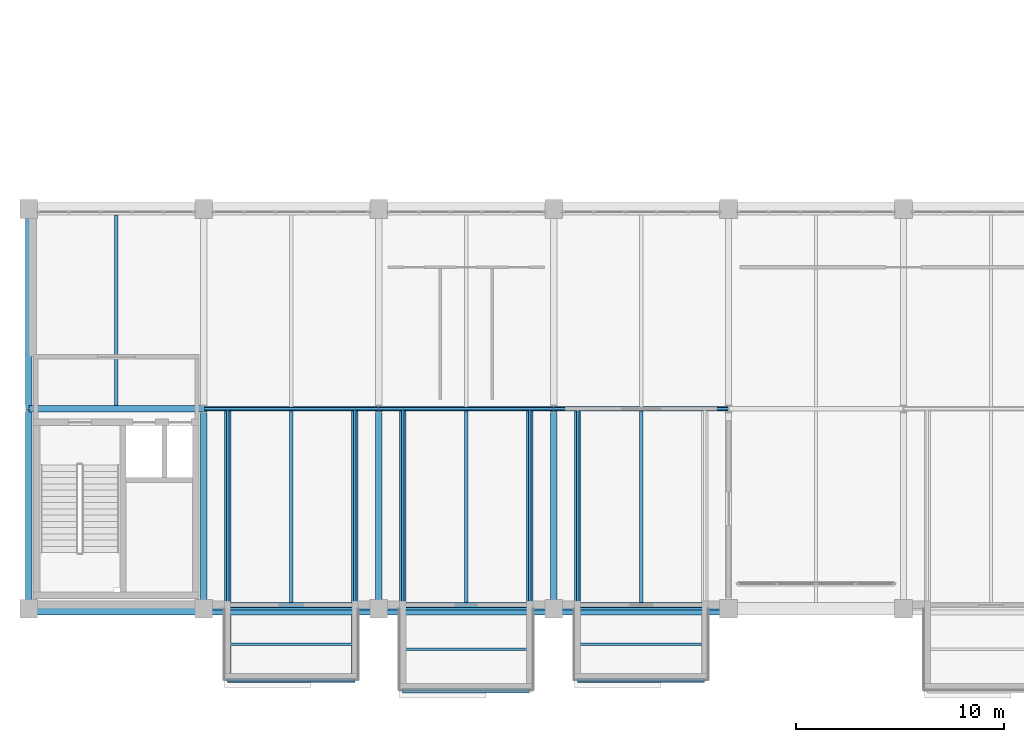
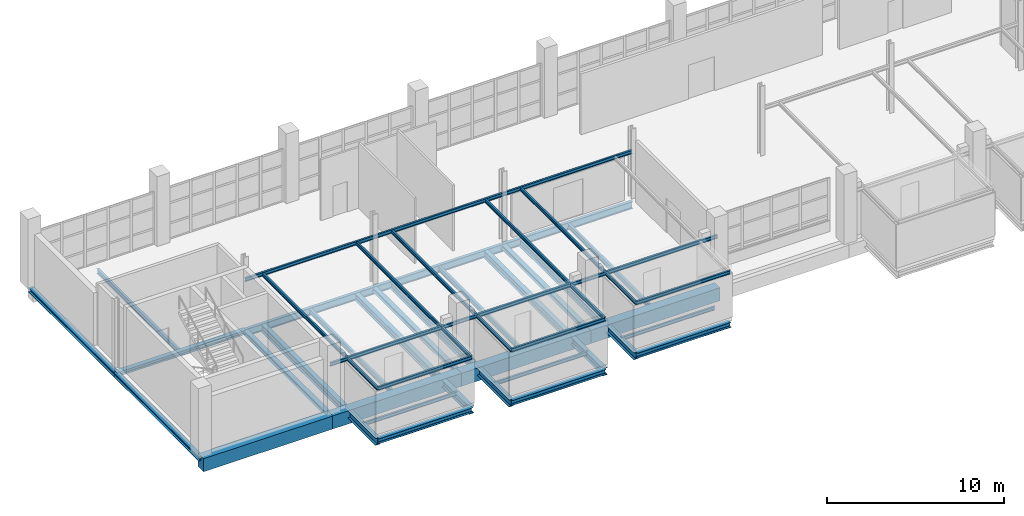
# One storey, part 4 of 29: 42 beams.
"""IFC4 building model written with IfcOpenShell, lengths in metres."""

import ifcopenshell
import ifcopenshell.guid

model = None  # the IFC model being written
_history = None  # IfcOwnerHistory: only IFC2X3 demands one
_inside = {}  # id of a spatial element -> (the spatial element, [elements in it])
_under = {}  # id of a project, library or spatial element -> (it, [spatial elements below it])
_declared = {}  # id of a project -> (the project, [libraries it declares])
_typed = {}  # id of a type object -> (the type object, [elements of that type])
_made_of = {}  # id of a material, layer set ... -> (it, [elements and type objects made of it])


def new_model(schema):
    """Start an empty IFC model of exactly this schema.

    Asked for "IFC4X3", IfcOpenShell would pick the latest addendum, in which some entities
    have other attributes; the version numbers below select the first issue.
    IFC2X3 requires an IfcOwnerHistory on every rooted entity: one is made here for all.
    """
    global model, _history
    if schema == "IFC4X3":
        model = ifcopenshell.file(schema_version=(4, 3, 0, 0))
    else:
        model = ifcopenshell.file(schema=schema)
    _inside.clear()
    _under.clear()
    _declared.clear()
    _typed.clear()
    _made_of.clear()
    _history = None
    if model.schema == "IFC2X3":
        org = make("IfcOrganization", Name="unknown")
        user = make(
            "IfcPersonAndOrganization",
            ThePerson=make("IfcPerson", FamilyName="unknown"),
            TheOrganization=org,
        )
        app = make(
            "IfcApplication",
            ApplicationDeveloper=org,
            Version="unknown",
            ApplicationFullName="unknown",
            ApplicationIdentifier="unknown",
        )
        _history = make(
            "IfcOwnerHistory",
            OwningUser=user,
            OwningApplication=app,
            ChangeAction="ADDED",
            CreationDate=0,
        )
    return model


def make(cls, **values):
    """One entity of the class cls with the attributes given. An attribute that is None is left unset."""
    return model.create_entity(
        cls, **{name: value for name, value in values.items() if value is not None}
    )


def rooted(cls, **values):
    """An entity with a GlobalId (a new one), such as an element, a storey or a relation."""
    return make(cls, GlobalId=ifcopenshell.guid.new(), OwnerHistory=_history, **values)


def si_unit(unit_type, name, prefix=None):
    """IfcSIUnit, for example si_unit("LENGTHUNIT", "METRE", prefix="MILLI")."""
    return make("IfcSIUnit", UnitType=unit_type, Prefix=prefix, Name=name)


def assignment(units):
    """IfcUnitAssignment: the units of a project."""
    return None if units is None else make("IfcUnitAssignment", Units=units)


def point(xyz):
    """IfcCartesianPoint."""
    return None if xyz is None else make("IfcCartesianPoint", Coordinates=xyz)


def direction(xyz):
    """IfcDirection."""
    return None if xyz is None else make("IfcDirection", DirectionRatios=xyz)


def frame(location, z_axis=None, x_axis=None):
    """IfcAxis2Placement3D, a coordinate frame: its origin and axes. An axis left out is left unset."""
    return make(
        "IfcAxis2Placement3D",
        Location=point(location),
        Axis=direction(z_axis),
        RefDirection=direction(x_axis),
    )


def frame_2d(location, x_axis=None):
    """IfcAxis2Placement2D, a coordinate frame in the plane: its origin and x axis."""
    return make(
        "IfcAxis2Placement2D", Location=point(location), RefDirection=direction(x_axis)
    )


def origin():
    """The frame at (0, 0, 0) with its axes left unset."""
    return frame((0.0, 0.0, 0.0))


def origin_2d():
    """The frame at (0, 0) in the plane with its x axis left unset."""
    return frame_2d((0.0, 0.0))


def place(relative_to, where):
    """IfcLocalPlacement: puts the frame where relative to a parent placement (None: the world)."""
    return make(
        "IfcLocalPlacement", PlacementRelTo=relative_to, RelativePlacement=where
    )


def context(
    kind, dimensions, precision=None, world=None, true_north=None, identifier=None
):
    """IfcGeometricRepresentationContext, for example the 3D "Model" context."""
    return make(
        "IfcGeometricRepresentationContext",
        ContextIdentifier=identifier,
        ContextType=kind,
        CoordinateSpaceDimension=dimensions,
        Precision=precision,
        WorldCoordinateSystem=world,
        TrueNorth=true_north,
    )


def subcontext(parent, identifier, kind, view, scale=None):
    """IfcGeometricRepresentationSubContext, for example "Body" below "Model"."""
    return make(
        "IfcGeometricRepresentationSubContext",
        ContextIdentifier=identifier,
        ContextType=kind,
        ParentContext=parent,
        TargetScale=scale,
        TargetView=view,
    )


def project(units=None, contexts=None):
    """IfcProject with its units and contexts."""
    return rooted(
        "IfcProject",
        Name="project",
        RepresentationContexts=contexts,
        UnitsInContext=assignment(units),
    )


def spatial(cls, under=None, at=None, **own):
    """A site, building, storey or space (cls), placed at a placement, below another one or the project."""
    s = rooted(cls, ObjectPlacement=at, **own)
    if under is not None:
        _under.setdefault(under.id(), (under, []))[1].append(s)
    return s


def profile(cls, at=None, kind="AREA", **sizes):
    """A parametric profile (cls). Its sizes go by their IFC names, for example OverallWidth=200.0."""
    return make(cls, ProfileType=kind, Position=at, **sizes)


def rectangle(**sizes):
    """IfcRectangleProfileDef."""
    return profile("IfcRectangleProfileDef", **sizes)


def i_section(**sizes):
    """IfcIShapeProfileDef."""
    return profile("IfcIShapeProfileDef", **sizes)


def extrude(swept, where, along, depth):
    """IfcExtrudedAreaSolid: the profile swept, set in the frame where, extruded along a direction by depth."""
    return make(
        "IfcExtrudedAreaSolid",
        SweptArea=swept,
        Position=where,
        ExtrudedDirection=direction(along),
        Depth=depth,
    )


def shape(context_of_items, identifier, shape_type, items):
    """IfcShapeRepresentation: the items that make up one representation, for example the "Body"."""
    return make(
        "IfcShapeRepresentation",
        ContextOfItems=context_of_items,
        RepresentationIdentifier=identifier,
        RepresentationType=shape_type,
        Items=items,
    )


def material(Name=None, Category=None):
    """IfcMaterial."""
    return make("IfcMaterial", Name=Name, Category=Category)


def material_profile(
    of_material, cross_section, Name=None, Category=None, Priority=None
):
    """IfcMaterialProfile: a cross section and its material."""
    return make(
        "IfcMaterialProfile",
        Name=Name,
        Material=of_material,
        Profile=cross_section,
        Priority=Priority,
        Category=Category,
    )


def profile_set(profiles, Name=None, composite=None):
    """IfcMaterialProfileSet."""
    return make(
        "IfcMaterialProfileSet",
        Name=Name,
        MaterialProfiles=profiles,
        CompositeProfile=composite,
    )


def made_of(thing, what):
    """Note that an element or type object is made of a material, layer set ...; save() writes the relation."""
    if what is not None:
        _made_of.setdefault(what.id(), (what, []))[1].append(thing)
    return thing


def type_object(cls, material=None, **own):
    """A type object (cls), such as IfcWallType, which elements share."""
    return made_of(rooted(cls, **own), material)


def element(
    cls,
    number,
    at=None,
    inside=None,
    cuts=None,
    type_object=None,
    material=None,
    context=None,
    identifier="Body",
    shape_type=None,
    held_by="IfcProductDefinitionShape",
    body=None,
    shapes=None,
    **own,
):
    """One element of the class cls, such as IfcWall. Its Tag is "e" and its number.

    at: its placement. inside: the storey or other place that contains it. cuts: it is an
    opening in that element (IfcRelVoidsElement). A single representation is given by context,
    identifier, shape_type and body (its items); several are given by shapes. held_by: the class
    of the entity that holds the representations. save() writes the other relations.
    """
    e = rooted(cls, Tag="e%d" % number, ObjectPlacement=at, **own)
    if body is not None:
        shapes = [shape(context, identifier, shape_type, body)]
    if shapes is not None:
        e.Representation = make(held_by, Representations=shapes)
    if inside is not None:
        _inside.setdefault(inside.id(), (inside, []))[1].append(e)
    if cuts is not None:
        rooted(
            "IfcRelVoidsElement", RelatingBuildingElement=cuts, RelatedOpeningElement=e
        )
    if type_object is not None:
        _typed.setdefault(type_object.id(), (type_object, []))[1].append(e)
    return made_of(e, material)


def aggregate(whole, parts):
    """IfcRelAggregates: a whole, such as a stair, and the parts it consists of."""
    return rooted("IfcRelAggregates", RelatingObject=whole, RelatedObjects=parts)


def save(model, path):
    """Write the relations noted so far, then the file.

    IfcRelAggregates (storeys below a building ...), IfcRelContainedInSpatialStructure (elements
    in a storey), IfcRelDefinesByType, IfcRelAssociatesMaterial and IfcRelDeclares: one each for
    every whole, place, type object, material and project.
    """
    for whole, parts in _under.values():
        aggregate(whole, parts)
    for where, things in _inside.values():
        rooted(
            "IfcRelContainedInSpatialStructure",
            RelatedElements=things,
            RelatingStructure=where,
        )
    for kind, things in _typed.values():
        rooted("IfcRelDefinesByType", RelatedObjects=things, RelatingType=kind)
    for what, things in _made_of.values():
        rooted("IfcRelAssociatesMaterial", RelatedObjects=things, RelatingMaterial=what)
    for by, libraries in _declared.values():
        rooted("IfcRelDeclares", RelatingContext=by, RelatedDefinitions=libraries)
    model.write(path)


model = new_model("IFC4")

# Units and contexts
model_context = context("Model", 3, precision=1e-05, world=origin(), true_north=direction((0.0, 1.0)))
body_context = subcontext(model_context, "Body", "Model", "MODEL_VIEW")
ifc_project = project(units=[si_unit("LENGTHUNIT", "METRE"), si_unit("AREAUNIT", "SQUARE_METRE"), si_unit("VOLUMEUNIT", "CUBIC_METRE"), si_unit("PLANEANGLEUNIT", "RADIAN"), si_unit("MASSUNIT", "GRAM", prefix="KILO")], contexts=[model_context])

# Site, building, storey
site_placement = place(None, origin())
site = spatial("IfcSite", under=ifc_project, at=site_placement, CompositionType="ELEMENT")
building_placement = place(site_placement, origin())
building = spatial("IfcBuilding", under=site, at=building_placement, Name="Veltarok Museum of Natural Sciences", CompositionType="ELEMENT")
storey_placement = place(building_placement, frame((0.0, 0.0, 26.39990234375)))
storey = spatial("IfcBuildingStorey", under=building, at=storey_placement, Name="L05", CompositionType="ELEMENT", Elevation=26.39990234375)

# Beams
ifc_material_1 = material(Name="Steel S355J2", Category="steel")
ifc_material_profile_1 = material_profile(ifc_material_1, i_section(OverallWidth=0.300048828125, OverallDepth=0.5, WebThickness=0.014404296875, FlangeThickness=0.028076171875, FilletRadius=0.027099609375, at=origin_2d()), Name="HEB 500")
ifc_profile_set_1 = profile_set([ifc_material_profile_1], Name="Steel S355J2")
beam_type_1 = type_object("IfcBeamType", Name="Cabinet Box Cantilever Girder HEB 500", PredefinedType="BEAM", material=ifc_profile_set_1)
for number, where, z_axis, x_axis, name in (
    (1, (41.14990234375, -3.39990234375, -0.5), (0.0, 1.0, 0.0), (-1.0, 0.0, 0.0), "Cabinet Cantilever Girder DB-25-1"),
    (2, (47.25, -3.39990234375, -0.5), (0.0, 1.0, 0.0), (-1.0, 0.0, 0.0), "Cabinet Cantilever Girder DB-25-2"),
):
    element("IfcBeam", number, at=place(storey_placement, frame(where, z_axis=z_axis, x_axis=x_axis)), inside=storey, type_object=beam_type_1, Name=name, PredefinedType="BEAM", context=body_context, shape_type="SweptSolid", body=[
        extrude(i_section(OverallWidth=0.300048828125, OverallDepth=0.5, WebThickness=0.014404296875, FlangeThickness=0.028076171875, FilletRadius=0.027099609375, at=origin_2d()), origin(), (0.0, 0.0, 1.0), 13.0),
    ])
for number, where, z_axis, x_axis, name in (
    (3, (49.550048828125, -3.89990234375, -0.5), (0.0, 1.0, 0.0), (-1.0, 0.0, 0.0), "Cabinet Cantilever Girder DB-26-1"),
    (4, (55.64990234375, -3.89990234375, -0.5), (0.0, 1.0, 0.0), (-1.0, 0.0, 0.0), "Cabinet Cantilever Girder DB-26-2"),
):
    element("IfcBeam", number, at=place(storey_placement, frame(where, z_axis=z_axis, x_axis=x_axis)), inside=storey, type_object=beam_type_1, Name=name, PredefinedType="BEAM", context=body_context, shape_type="SweptSolid", body=[
        extrude(i_section(OverallWidth=0.300048828125, OverallDepth=0.5, WebThickness=0.014404296875, FlangeThickness=0.028076171875, FilletRadius=0.027099609375, at=origin_2d()), origin(), (0.0, 0.0, 1.0), 13.5),
    ])
beam_1_placement = place(storey_placement, frame((57.949951171875, -3.39990234375, -0.5), z_axis=(0.0, 1.0, 0.0), x_axis=(-1.0, 0.0, 0.0)))
element("IfcBeam", 5, at=beam_1_placement, inside=storey, type_object=beam_type_1, Name="Cabinet Cantilever Girder DB-27-1", PredefinedType="BEAM", context=body_context, shape_type="SweptSolid", body=[
    extrude(i_section(OverallWidth=0.300048828125, OverallDepth=0.5, WebThickness=0.014404296875, FlangeThickness=0.028076171875, FilletRadius=0.027099609375, at=origin_2d()), origin(), (0.0, 0.0, 1.0), 13.0),
])
ifc_material_profile_2 = material_profile(ifc_material_1, i_section(OverallWidth=0.1201171875, OverallDepth=0.239990234375, WebThickness=0.006103515625, FlangeThickness=0.009765625, FilletRadius=0.014892578125, at=origin_2d()), Name="IPE 240")
ifc_profile_set_2 = profile_set([ifc_material_profile_2], Name="Steel S355J2")
beam_type_2 = type_object("IfcBeamType", Name="Cabinet Box Secondary Joist IPE 240", PredefinedType="JOIST", material=ifc_profile_set_2)
for number, where, z_axis, x_axis, name in (
    (6, (41.14990234375, -3.39990234375, 3.130126953125), (0.0, 1.0, 0.0), (-1.0, 0.0, 0.0), "Cabinet Roof Rafter DB-25-1"),
    (7, (47.25, -3.39990234375, 3.130126953125), (0.0, 1.0, 0.0), (-1.0, 0.0, 0.0), "Cabinet Roof Rafter DB-25-2"),
):
    element("IfcBeam", number, at=place(storey_placement, frame(where, z_axis=z_axis, x_axis=x_axis)), inside=storey, type_object=beam_type_2, Name=name, PredefinedType="JOIST", context=body_context, shape_type="SweptSolid", body=[
        extrude(i_section(OverallWidth=0.1201171875, OverallDepth=0.239990234375, WebThickness=0.006103515625, FlangeThickness=0.009765625, FilletRadius=0.014892578125, at=origin_2d()), origin(), (0.0, 0.0, 1.0), 13.0),
    ])
for number, where, z_axis, x_axis, name in (
    (8, (40.0, 0.0, 3.130126953125), (1.0, 0.0, 0.0), (0.0, 1.0, 0.0), "Cabinet Roof Tie Beam DB-25-P"),
    (9, (40.0, 9.60009765625, 3.130126953125), (1.0, 0.0, 0.0), (0.0, 1.0, 0.0), "Cabinet Roof Tie Beam DB-25-I"),
):
    element("IfcBeam", number, at=place(storey_placement, frame(where, z_axis=z_axis, x_axis=x_axis)), inside=storey, type_object=beam_type_2, Name=name, PredefinedType="JOIST", context=body_context, shape_type="SweptSolid", body=[
        extrude(i_section(OverallWidth=0.1201171875, OverallDepth=0.239990234375, WebThickness=0.006103515625, FlangeThickness=0.009765625, FilletRadius=0.014892578125, at=origin_2d()), origin(), (0.0, 0.0, 1.0), 8.39990234375),
    ])
for number, where, z_axis, x_axis, name in (
    (10, (41.14990234375, -3.39990234375, 3.130126953125), (1.0, 0.0, 0.0), (0.0, 1.0, 0.0), "Cabinet Roof Tip Header DB-25"),
    (11, (41.14990234375, -1.699951171875, -0.369873046875), (1.0, 0.0, 0.0), (0.0, 1.0, 0.0), "Cabinet Box Joist DB-25"),
):
    element("IfcBeam", number, at=place(storey_placement, frame(where, z_axis=z_axis, x_axis=x_axis)), inside=storey, type_object=beam_type_2, Name=name, PredefinedType="JOIST", context=body_context, shape_type="SweptSolid", body=[
        extrude(i_section(OverallWidth=0.1201171875, OverallDepth=0.239990234375, WebThickness=0.006103515625, FlangeThickness=0.009765625, FilletRadius=0.014892578125, at=origin_2d()), origin(), (0.0, 0.0, 1.0), 6.10009765625),
    ])
for number, where, z_axis, x_axis, name in (
    (12, (49.550048828125, -3.89990234375, 3.130126953125), (0.0, 1.0, 0.0), (-1.0, 0.0, 0.0), "Cabinet Roof Rafter DB-26-1"),
    (13, (55.64990234375, -3.89990234375, 3.130126953125), (0.0, 1.0, 0.0), (-1.0, 0.0, 0.0), "Cabinet Roof Rafter DB-26-2"),
):
    element("IfcBeam", number, at=place(storey_placement, frame(where, z_axis=z_axis, x_axis=x_axis)), inside=storey, type_object=beam_type_2, Name=name, PredefinedType="JOIST", context=body_context, shape_type="SweptSolid", body=[
        extrude(i_section(OverallWidth=0.1201171875, OverallDepth=0.239990234375, WebThickness=0.006103515625, FlangeThickness=0.009765625, FilletRadius=0.014892578125, at=origin_2d()), origin(), (0.0, 0.0, 1.0), 13.5),
    ])
for number, where, z_axis, x_axis, name in (
    (14, (48.39990234375, 0.0, 3.130126953125), (1.0, 0.0, 0.0), (0.0, 1.0, 0.0), "Cabinet Roof Tie Beam DB-26-P"),
    (15, (48.39990234375, 9.60009765625, 3.130126953125), (1.0, 0.0, 0.0), (0.0, 1.0, 0.0), "Cabinet Roof Tie Beam DB-26-I"),
):
    element("IfcBeam", number, at=place(storey_placement, frame(where, z_axis=z_axis, x_axis=x_axis)), inside=storey, type_object=beam_type_2, Name=name, PredefinedType="JOIST", context=body_context, shape_type="SweptSolid", body=[
        extrude(i_section(OverallWidth=0.1201171875, OverallDepth=0.239990234375, WebThickness=0.006103515625, FlangeThickness=0.009765625, FilletRadius=0.014892578125, at=origin_2d()), origin(), (0.0, 0.0, 1.0), 8.400146484375),
    ])
for number, where, z_axis, x_axis, name in (
    (16, (49.550048828125, -3.89990234375, 3.130126953125), (1.0, 0.0, 0.0), (0.0, 1.0, 0.0), "Cabinet Roof Tip Header DB-26"),
    (17, (49.550048828125, -1.949951171875, -0.369873046875), (1.0, 0.0, 0.0), (0.0, 1.0, 0.0), "Cabinet Box Joist DB-26"),
):
    element("IfcBeam", number, at=place(storey_placement, frame(where, z_axis=z_axis, x_axis=x_axis)), inside=storey, type_object=beam_type_2, Name=name, PredefinedType="JOIST", context=body_context, shape_type="SweptSolid", body=[
        extrude(i_section(OverallWidth=0.1201171875, OverallDepth=0.239990234375, WebThickness=0.006103515625, FlangeThickness=0.009765625, FilletRadius=0.014892578125, at=origin_2d()), origin(), (0.0, 0.0, 1.0), 6.099853515625),
    ])
beam_2_placement = place(storey_placement, frame((57.949951171875, -3.39990234375, 3.130126953125), z_axis=(0.0, 1.0, 0.0), x_axis=(-1.0, 0.0, 0.0)))
element("IfcBeam", 18, at=beam_2_placement, inside=storey, type_object=beam_type_2, Name="Cabinet Roof Rafter DB-27-1", PredefinedType="JOIST", context=body_context, shape_type="SweptSolid", body=[
    extrude(i_section(OverallWidth=0.1201171875, OverallDepth=0.239990234375, WebThickness=0.006103515625, FlangeThickness=0.009765625, FilletRadius=0.014892578125, at=origin_2d()), origin(), (0.0, 0.0, 1.0), 13.0),
])
for number, where, z_axis, x_axis, name in (
    (19, (56.800048828125, 0.0, 3.130126953125), (1.0, 0.0, 0.0), (0.0, 1.0, 0.0), "Cabinet Roof Tie Beam DB-27-P"),
    (20, (56.800048828125, 9.60009765625, 3.130126953125), (1.0, 0.0, 0.0), (0.0, 1.0, 0.0), "Cabinet Roof Tie Beam DB-27-I"),
):
    element("IfcBeam", number, at=place(storey_placement, frame(where, z_axis=z_axis, x_axis=x_axis)), inside=storey, type_object=beam_type_2, Name=name, PredefinedType="JOIST", context=body_context, shape_type="SweptSolid", body=[
        extrude(i_section(OverallWidth=0.1201171875, OverallDepth=0.239990234375, WebThickness=0.006103515625, FlangeThickness=0.009765625, FilletRadius=0.014892578125, at=origin_2d()), origin(), (0.0, 0.0, 1.0), 8.39990234375),
    ])
for number, where, z_axis, x_axis, name in (
    (21, (57.949951171875, -3.39990234375, 3.130126953125), (1.0, 0.0, 0.0), (0.0, 1.0, 0.0), "Cabinet Roof Tip Header DB-27"),
    (22, (57.949951171875, -1.699951171875, -0.369873046875), (1.0, 0.0, 0.0), (0.0, 1.0, 0.0), "Cabinet Box Joist DB-27"),
):
    element("IfcBeam", number, at=place(storey_placement, frame(where, z_axis=z_axis, x_axis=x_axis)), inside=storey, type_object=beam_type_2, Name=name, PredefinedType="JOIST", context=body_context, shape_type="SweptSolid", body=[
        extrude(i_section(OverallWidth=0.1201171875, OverallDepth=0.239990234375, WebThickness=0.006103515625, FlangeThickness=0.009765625, FilletRadius=0.014892578125, at=origin_2d()), origin(), (0.0, 0.0, 1.0), 6.10009765625),
    ])
ifc_material_profile_3 = material_profile(ifc_material_1, i_section(OverallWidth=0.300048828125, OverallDepth=0.35009765625, WebThickness=0.010009765625, FlangeThickness=0.017578125, FilletRadius=0.027099609375, at=origin_2d()), Name="HEA 360")
ifc_profile_set_3 = profile_set([ifc_material_profile_3], Name="Steel S355J2")
beam_type_3 = type_object("IfcBeamType", Name="Cabinet Box Tip Header HEA 360", PredefinedType="BEAM", material=ifc_profile_set_3)
beam_3_placement = place(storey_placement, frame((41.14990234375, -3.39990234375, -0.4248046875), z_axis=(1.0, 0.0, 0.0), x_axis=(0.0, 1.0, 0.0)))
element("IfcBeam", 23, at=beam_3_placement, inside=storey, type_object=beam_type_3, Name="Cabinet Tip Header DB-25", PredefinedType="BEAM", context=body_context, shape_type="SweptSolid", body=[
    extrude(i_section(OverallWidth=0.300048828125, OverallDepth=0.35009765625, WebThickness=0.010009765625, FlangeThickness=0.017578125, FilletRadius=0.027099609375, at=origin_2d()), origin(), (0.0, 0.0, 1.0), 6.10009765625),
])
beam_4_placement = place(storey_placement, frame((49.550048828125, -3.89990234375, -0.4248046875), z_axis=(1.0, 0.0, 0.0), x_axis=(0.0, 1.0, 0.0)))
element("IfcBeam", 24, at=beam_4_placement, inside=storey, type_object=beam_type_3, Name="Cabinet Tip Header DB-26", PredefinedType="BEAM", context=body_context, shape_type="SweptSolid", body=[
    extrude(i_section(OverallWidth=0.300048828125, OverallDepth=0.35009765625, WebThickness=0.010009765625, FlangeThickness=0.017578125, FilletRadius=0.027099609375, at=origin_2d()), origin(), (0.0, 0.0, 1.0), 6.099853515625),
])
beam_5_placement = place(storey_placement, frame((57.949951171875, -3.39990234375, -0.4248046875), z_axis=(1.0, 0.0, 0.0), x_axis=(0.0, 1.0, 0.0)))
element("IfcBeam", 25, at=beam_5_placement, inside=storey, type_object=beam_type_3, Name="Cabinet Tip Header DB-27", PredefinedType="BEAM", context=body_context, shape_type="SweptSolid", body=[
    extrude(i_section(OverallWidth=0.300048828125, OverallDepth=0.35009765625, WebThickness=0.010009765625, FlangeThickness=0.017578125, FilletRadius=0.027099609375, at=origin_2d()), origin(), (0.0, 0.0, 1.0), 6.10009765625),
])
ifc_material_2 = material(Name="Concrete C40/50", Category="concrete")
ifc_material_profile_4 = material_profile(ifc_material_2, rectangle(XDim=0.60009765625, YDim=0.89990234375, at=origin_2d()), Name="RC 600x900")
ifc_profile_set_4 = profile_set([ifc_material_profile_4], Name="Concrete C40/50")
beam_type_4 = type_object("IfcBeamType", Name="Exposed Cabinet Perimeter Spandrel RC 600x900", PredefinedType="SPANDREL", material=ifc_profile_set_4)
for number, where, z_axis, x_axis, name in (
    (26, (31.60009765625, 0.0, -0.699951171875), (1.0, 0.0, 0.0), (0.0, 1.0, 0.0), "Beam BM-SP01 L05 4-5/A"),
    (27, (40.0, 0.0, -0.699951171875), (1.0, 0.0, 0.0), (0.0, 1.0, 0.0), "Beam BM-SP01 L05 5-6/A"),
):
    element("IfcBeam", number, at=place(storey_placement, frame(where, z_axis=z_axis, x_axis=x_axis)), inside=storey, type_object=beam_type_4, Name=name, PredefinedType="SPANDREL", context=body_context, shape_type="SweptSolid", body=[
        extrude(rectangle(XDim=0.60009765625, YDim=0.89990234375, at=origin_2d()), origin(), (0.0, 0.0, 1.0), 8.39990234375),
    ])
beam_6_placement = place(storey_placement, frame((48.39990234375, 0.0, -0.699951171875), z_axis=(1.0, 0.0, 0.0), x_axis=(0.0, 1.0, 0.0)))
element("IfcBeam", 28, at=beam_6_placement, inside=storey, type_object=beam_type_4, Name="Beam BM-SP01 L05 6-7/A", PredefinedType="SPANDREL", context=body_context, shape_type="SweptSolid", body=[
    extrude(rectangle(XDim=0.60009765625, YDim=0.89990234375, at=origin_2d()), origin(), (0.0, 0.0, 1.0), 8.400146484375),
])
beam_7_placement = place(storey_placement, frame((56.800048828125, 0.0, -0.699951171875), z_axis=(1.0, 0.0, 0.0), x_axis=(0.0, 1.0, 0.0)))
element("IfcBeam", 29, at=beam_7_placement, inside=storey, type_object=beam_type_4, Name="Beam BM-SP01 L05 7-8/A", PredefinedType="SPANDREL", context=body_context, shape_type="SweptSolid", body=[
    extrude(rectangle(XDim=0.60009765625, YDim=0.89990234375, at=origin_2d()), origin(), (0.0, 0.0, 1.0), 8.39990234375),
])
ifc_material_profile_5 = material_profile(ifc_material_1, i_section(OverallWidth=0.300048828125, OverallDepth=0.2900390625, WebThickness=0.008544921875, FlangeThickness=0.013916015625, FilletRadius=0.027099609375, at=origin_2d()), Name="HEA 300")
ifc_profile_set_5 = profile_set([ifc_material_profile_5], Name="Steel S355J2")
beam_type_5 = type_object("IfcBeamType", Name="Glazed Hall Edge Spandrel HEA 300", PredefinedType="SPANDREL", material=ifc_profile_set_5)
beam_8_placement = place(storey_placement, frame((31.60009765625, 9.60009765625, -0.39501953125), z_axis=(1.0, 0.0, 0.0), x_axis=(0.0, 1.0, 0.0)))
element("IfcBeam", 30, at=beam_8_placement, inside=storey, type_object=beam_type_5, Name="Beam BM-SP03 L05 4-5/B", PredefinedType="SPANDREL", context=body_context, shape_type="SweptSolid", body=[
    extrude(i_section(OverallWidth=0.300048828125, OverallDepth=0.2900390625, WebThickness=0.008544921875, FlangeThickness=0.013916015625, FilletRadius=0.027099609375, at=origin_2d()), origin(), (0.0, 0.0, 1.0), 8.39990234375),
])
beam_9_placement = place(storey_placement, frame((31.60009765625, 0.0, -0.39501953125), z_axis=(0.0, 1.0, 0.0), x_axis=(-1.0, 0.0, 0.0)))
element("IfcBeam", 31, at=beam_9_placement, inside=storey, type_object=beam_type_5, Name="Beam BM-SP03 L05 4/A-B", PredefinedType="SPANDREL", context=body_context, shape_type="SweptSolid", body=[
    extrude(i_section(OverallWidth=0.300048828125, OverallDepth=0.2900390625, WebThickness=0.008544921875, FlangeThickness=0.013916015625, FilletRadius=0.027099609375, at=origin_2d()), origin(), (0.0, 0.0, 1.0), 9.60009765625),
])
beam_10_placement = place(storey_placement, frame((31.60009765625, 9.60009765625, -0.39501953125), z_axis=(0.0, 1.0, 0.0), x_axis=(-1.0, 0.0, 0.0)))
element("IfcBeam", 32, at=beam_10_placement, inside=storey, type_object=beam_type_5, Name="Beam BM-SP03 L05 4/B-C", PredefinedType="SPANDREL", context=body_context, shape_type="SweptSolid", body=[
    extrude(i_section(OverallWidth=0.300048828125, OverallDepth=0.2900390625, WebThickness=0.008544921875, FlangeThickness=0.013916015625, FilletRadius=0.027099609375, at=origin_2d()), origin(), (0.0, 0.0, 1.0), 9.599853515625),
])
for number, where, z_axis, x_axis, name in (
    (33, (40.0, 0.0, -0.39501953125), (0.0, 1.0, 0.0), (-1.0, 0.0, 0.0), "Beam BM-SP03 L05 5/A-B"),
    (34, (48.39990234375, 0.0, -0.39501953125), (0.0, 1.0, 0.0), (-1.0, 0.0, 0.0), "Beam BM-SP03 L05 6/A-B"),
    (35, (56.800048828125, 0.0, -0.39501953125), (0.0, 1.0, 0.0), (-1.0, 0.0, 0.0), "Beam BM-SP03 L05 7/A-B"),
):
    element("IfcBeam", number, at=place(storey_placement, frame(where, z_axis=z_axis, x_axis=x_axis)), inside=storey, type_object=beam_type_5, Name=name, PredefinedType="SPANDREL", context=body_context, shape_type="SweptSolid", body=[
        extrude(i_section(OverallWidth=0.300048828125, OverallDepth=0.2900390625, WebThickness=0.008544921875, FlangeThickness=0.013916015625, FilletRadius=0.027099609375, at=origin_2d()), origin(), (0.0, 0.0, 1.0), 9.60009765625),
    ])
ifc_material_profile_6 = material_profile(ifc_material_1, i_section(OverallWidth=0.159912109375, OverallDepth=0.330078125, WebThickness=0.007568359375, FlangeThickness=0.011474609375, FilletRadius=0.01806640625, at=origin_2d()), Name="IPE 330")
ifc_profile_set_6 = profile_set([ifc_material_profile_6], Name="Steel S355J2")
beam_type_6 = type_object("IfcBeamType", Name="Medium-Bay Composite Joist IPE 330", PredefinedType="JOIST", material=ifc_profile_set_6)
beam_11_placement = place(storey_placement, frame((35.800048828125, 9.748046875, -0.414794921875), z_axis=(0.0, 1.0, 0.0), x_axis=(-1.0, 0.0, 0.0)))
element("IfcBeam", 36, at=beam_11_placement, inside=storey, type_object=beam_type_6, Name="Secondary Joist BM-J02 L05 4-5/B-C.1", PredefinedType="JOIST", context=body_context, shape_type="SweptSolid", body=[
    extrude(i_section(OverallWidth=0.159912109375, OverallDepth=0.330078125, WebThickness=0.007568359375, FlangeThickness=0.011474609375, FilletRadius=0.01806640625, at=origin_2d()), origin(), (0.0, 0.0, 1.0), 9.154052734375),
])
for number, where, z_axis, x_axis, name in (
    (37, (44.199951171875, 0.298095703125, -0.414794921875), (0.0, 1.0, 0.0), (-1.0, 0.0, 0.0), "Secondary Joist BM-J02 L05 5-6/A-B.1"),
    (38, (52.60009765625, 0.298095703125, -0.414794921875), (0.0, 1.0, 0.0), (-1.0, 0.0, 0.0), "Secondary Joist BM-J02 L05 6-7/A-B.1"),
    (39, (61.0, 0.298095703125, -0.414794921875), (0.0, 1.0, 0.0), (-1.0, 0.0, 0.0), "Secondary Joist BM-J02 L05 7-8/A-B.1"),
):
    element("IfcBeam", number, at=place(storey_placement, frame(where, z_axis=z_axis, x_axis=x_axis)), inside=storey, type_object=beam_type_6, Name=name, PredefinedType="JOIST", context=body_context, shape_type="SweptSolid", body=[
        extrude(i_section(OverallWidth=0.159912109375, OverallDepth=0.330078125, WebThickness=0.007568359375, FlangeThickness=0.011474609375, FilletRadius=0.01806640625, at=origin_2d()), origin(), (0.0, 0.0, 1.0), 9.203857421875),
    ])
ifc_material_profile_7 = material_profile(ifc_material_1, i_section(OverallWidth=0.199951171875, OverallDepth=0.5, WebThickness=0.01025390625, FlangeThickness=0.01611328125, FilletRadius=0.02099609375, at=origin_2d()), Name="IPE 500")
ifc_profile_set_7 = profile_set([ifc_material_profile_7], Name="Steel S355J2")
beam_type_7 = type_object("IfcBeamType", Name="Standard Gallery Girder IPE 500", PredefinedType="BEAM", material=ifc_profile_set_7)
beam_12_placement = place(storey_placement, frame((40.0, 9.60009765625, -0.5), z_axis=(1.0, 0.0, 0.0), x_axis=(0.0, 1.0, 0.0)))
element("IfcBeam", 40, at=beam_12_placement, inside=storey, type_object=beam_type_7, Name="Beam BM-G04 L05 5-6/B", PredefinedType="BEAM", context=body_context, shape_type="SweptSolid", body=[
    extrude(i_section(OverallWidth=0.199951171875, OverallDepth=0.5, WebThickness=0.01025390625, FlangeThickness=0.01611328125, FilletRadius=0.02099609375, at=origin_2d()), origin(), (0.0, 0.0, 1.0), 8.39990234375),
])
beam_13_placement = place(storey_placement, frame((48.39990234375, 9.60009765625, -0.5), z_axis=(1.0, 0.0, 0.0), x_axis=(0.0, 1.0, 0.0)))
element("IfcBeam", 41, at=beam_13_placement, inside=storey, type_object=beam_type_7, Name="Beam BM-G04 L05 6-7/B", PredefinedType="BEAM", context=body_context, shape_type="SweptSolid", body=[
    extrude(i_section(OverallWidth=0.199951171875, OverallDepth=0.5, WebThickness=0.01025390625, FlangeThickness=0.01611328125, FilletRadius=0.02099609375, at=origin_2d()), origin(), (0.0, 0.0, 1.0), 8.400146484375),
])
beam_14_placement = place(storey_placement, frame((56.800048828125, 9.60009765625, -0.5), z_axis=(1.0, 0.0, 0.0), x_axis=(0.0, 1.0, 0.0)))
element("IfcBeam", 42, at=beam_14_placement, inside=storey, type_object=beam_type_7, Name="Beam BM-G04 L05 7-8/B", PredefinedType="BEAM", context=body_context, shape_type="SweptSolid", body=[
    extrude(i_section(OverallWidth=0.199951171875, OverallDepth=0.5, WebThickness=0.01025390625, FlangeThickness=0.01611328125, FilletRadius=0.02099609375, at=origin_2d()), origin(), (0.0, 0.0, 1.0), 8.39990234375),
])

save(model, "model.ifc")
